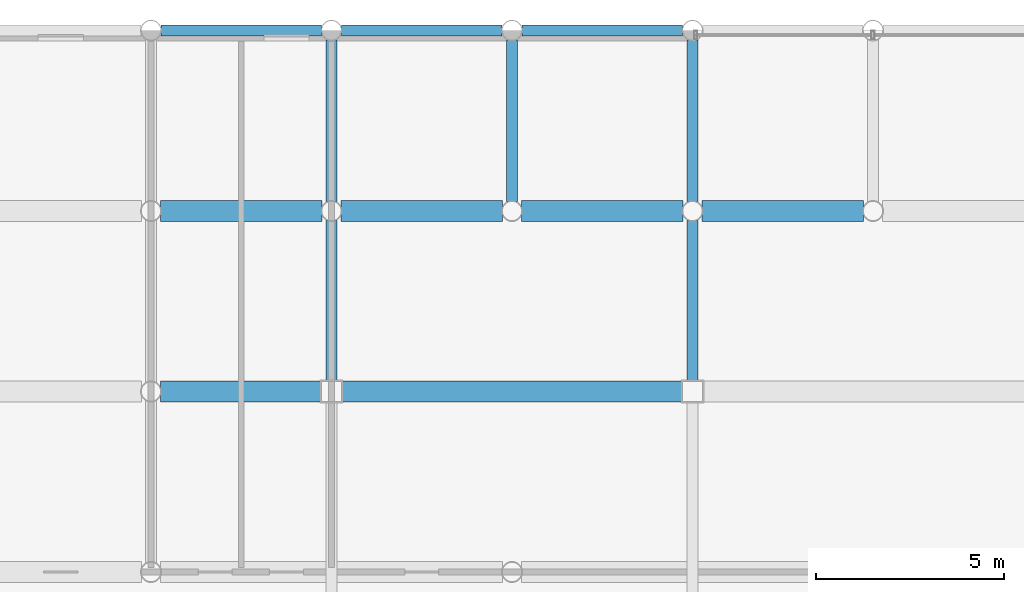
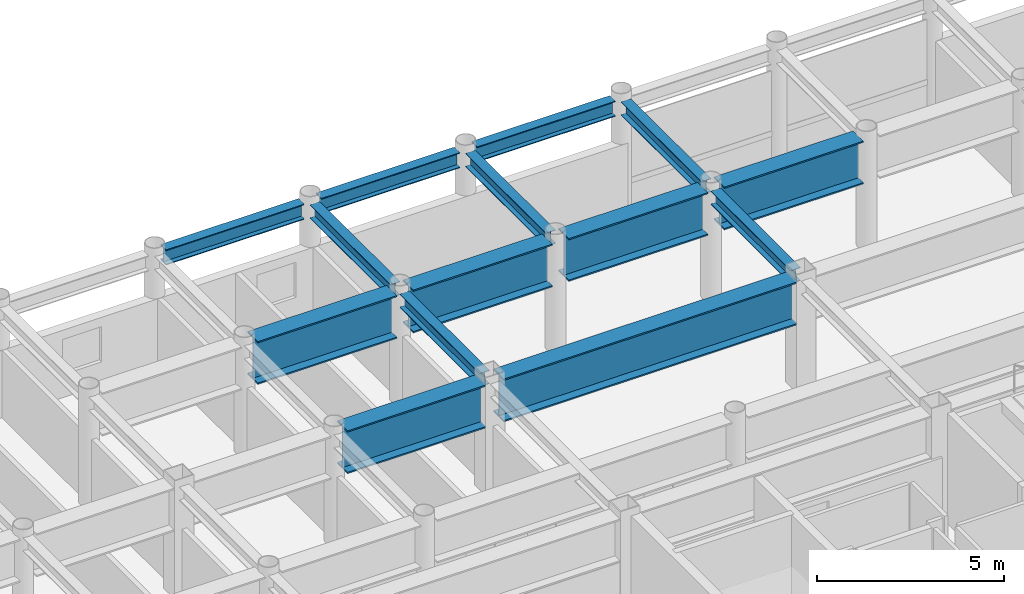
# One storey, part 13 of 21: 14 beams.
"""IFC4 building model written with IfcOpenShell, lengths in metres."""

from ifc_helpers import new_model, si_unit, direction, frame, origin, origin_2d, place, context, subcontext, project, spatial, i_section, extrude, material, material_profile, profile_set, type_object, element, save


model = new_model("IFC4")

# Units and contexts
model_context = context("Model", 3, precision=1e-05, world=origin(), true_north=direction((0.0, 1.0)))
body_context = subcontext(model_context, "Body", "Model", "MODEL_VIEW")
ifc_project = project(units=[si_unit("LENGTHUNIT", "METRE"), si_unit("AREAUNIT", "SQUARE_METRE"), si_unit("VOLUMEUNIT", "CUBIC_METRE"), si_unit("PLANEANGLEUNIT", "RADIAN"), si_unit("MASSUNIT", "GRAM", prefix="KILO")], contexts=[model_context])

# Site, building, storey
site_placement = place(None, origin())
site = spatial("IfcSite", under=ifc_project, at=site_placement, CompositionType="ELEMENT")
building_placement = place(site_placement, origin())
building = spatial("IfcBuilding", under=site, at=building_placement, Name="Kallvorn Hotel Tower", CompositionType="ELEMENT")
storey_placement = place(building_placement, frame((0.0, 0.0, 272.35009765625)))
storey = spatial("IfcBuildingStorey", under=building, at=storey_placement, Name="L68", CompositionType="ELEMENT", Elevation=272.35009765625)

# Beams
ifc_material_1 = material(Name="Structural steel S355JR", Category="steel")
ifc_material_profile_1 = material_profile(ifc_material_1, i_section(OverallWidth=0.300048828125, OverallDepth=0.43994140625, WebThickness=0.011474609375, FlangeThickness=0.02099609375, at=origin_2d()), Name="HE 450 A")
ifc_profile_set_1 = profile_set([ifc_material_profile_1], Name="Structural steel S355JR")
beam_type_1 = type_object("IfcBeamType", Name="BM_HE450A", PredefinedType="BEAM", material=ifc_profile_set_1)
beam_1_placement = place(storey_placement, frame((-14.39990234375, 14.675048828125, 3.3798828125), z_axis=(0.0, 1.0, 0.0), x_axis=(-1.0, 0.0, 0.0)))
element("IfcBeam", 1, at=beam_1_placement, inside=storey, type_object=beam_type_1, Name="L69 Primary Y-Girder 101", PredefinedType="BEAM", context=body_context, shape_type="SweptSolid", body=[
    extrude(i_section(OverallWidth=0.300048828125, OverallDepth=0.43994140625, WebThickness=0.011474609375, FlangeThickness=0.02099609375, at=origin_2d()), origin(), (0.0, 0.0, 1.0), 4.2705078125),
])
for number, where, z_axis, x_axis, name in (
    (2, (-14.39990234375, 19.45458984375, 3.3798828125), (0.0, 1.0, 0.0), (-1.0, 0.0, 0.0), "L69 Primary Y-Girder 102"),
    (3, (-9.60009765625, 19.45458984375, 3.3798828125), (0.0, 1.0, 0.0), (-1.0, 0.0, 0.0), "L69 Primary Y-Girder 105"),
):
    element("IfcBeam", number, at=place(storey_placement, frame(where, z_axis=z_axis, x_axis=x_axis)), inside=storey, type_object=beam_type_1, Name=name, PredefinedType="BEAM", context=body_context, shape_type="SweptSolid", body=[
        extrude(i_section(OverallWidth=0.300048828125, OverallDepth=0.43994140625, WebThickness=0.011474609375, FlangeThickness=0.02099609375, at=origin_2d()), origin(), (0.0, 0.0, 1.0), 4.291015625),
    ])
beam_2_placement = place(storey_placement, frame((-4.800048828125, 14.675048828125, 3.3798828125), z_axis=(0.0, 1.0, 0.0), x_axis=(-1.0, 0.0, 0.0)))
element("IfcBeam", 4, at=beam_2_placement, inside=storey, type_object=beam_type_1, Name="L69 Primary Y-Girder 109", PredefinedType="BEAM", context=body_context, shape_type="SweptSolid", body=[
    extrude(i_section(OverallWidth=0.300048828125, OverallDepth=0.43994140625, WebThickness=0.011474609375, FlangeThickness=0.02099609375, at=origin_2d()), origin(), (0.0, 0.0, 1.0), 4.2705078125),
])
beam_3_placement = place(storey_placement, frame((-4.800048828125, 19.45458984375, 3.3798828125), z_axis=(0.0, 1.0, 0.0), x_axis=(-1.0, 0.0, 0.0)))
element("IfcBeam", 5, at=beam_3_placement, inside=storey, type_object=beam_type_1, Name="L69 Primary Y-Girder 110", PredefinedType="BEAM", context=body_context, shape_type="SweptSolid", body=[
    extrude(i_section(OverallWidth=0.300048828125, OverallDepth=0.43994140625, WebThickness=0.011474609375, FlangeThickness=0.02099609375, at=origin_2d()), origin(), (0.0, 0.0, 1.0), 4.291015625),
])
ifc_material_2 = material(Name="Structural steel S355JR", Category="steel")
ifc_material_profile_2 = material_profile(ifc_material_2, i_section(OverallWidth=0.300048828125, OverallDepth=0.5, WebThickness=0.014404296875, FlangeThickness=0.028076171875, at=origin_2d()), Name="HE 500 B")
ifc_profile_set_2 = profile_set([ifc_material_profile_2], Name="Structural steel S355JR")
beam_type_2 = type_object("IfcBeamType", Name="BM_HE500B", PredefinedType="SPANDREL", material=ifc_profile_set_2)
beam_4_placement = place(storey_placement, frame((-18.930419921875, 24.0, 3.349853515625), z_axis=(1.0, 0.0, 0.0), x_axis=(0.0, 1.0, 0.0)))
element("IfcBeam", 6, at=beam_4_placement, inside=storey, type_object=beam_type_2, Name="L69 Perimeter Spandrel 165", PredefinedType="SPANDREL", context=body_context, shape_type="SweptSolid", body=[
    extrude(i_section(OverallWidth=0.300048828125, OverallDepth=0.5, WebThickness=0.014404296875, FlangeThickness=0.028076171875, at=origin_2d()), origin(), (0.0, 0.0, 1.0), 4.260986328125),
])
beam_5_placement = place(storey_placement, frame((-14.130615234375, 24.0, 3.349853515625), z_axis=(1.0, 0.0, 0.0), x_axis=(0.0, 1.0, 0.0)))
element("IfcBeam", 7, at=beam_5_placement, inside=storey, type_object=beam_type_2, Name="L69 Perimeter Spandrel 166", PredefinedType="SPANDREL", context=body_context, shape_type="SweptSolid", body=[
    extrude(i_section(OverallWidth=0.300048828125, OverallDepth=0.5, WebThickness=0.014404296875, FlangeThickness=0.028076171875, at=origin_2d()), origin(), (0.0, 0.0, 1.0), 4.26123046875),
])
beam_6_placement = place(storey_placement, frame((-9.33056640625, 24.0, 3.349853515625), z_axis=(1.0, 0.0, 0.0), x_axis=(0.0, 1.0, 0.0)))
element("IfcBeam", 8, at=beam_6_placement, inside=storey, type_object=beam_type_2, Name="L69 Perimeter Spandrel 167", PredefinedType="SPANDREL", context=body_context, shape_type="SweptSolid", body=[
    extrude(i_section(OverallWidth=0.300048828125, OverallDepth=0.5, WebThickness=0.014404296875, FlangeThickness=0.028076171875, at=origin_2d()), origin(), (0.0, 0.0, 1.0), 4.260986328125),
])
ifc_material_3 = material(Name="Structural steel S355JR", Category="steel")
ifc_material_profile_3 = material_profile(ifc_material_3, i_section(OverallWidth=0.550048828125, OverallDepth=1.39990234375, WebThickness=0.02490234375, FlangeThickness=0.044921875, at=origin_2d()), Name="PG 1400x550x25x45")
ifc_profile_set_3 = profile_set([ifc_material_profile_3], Name="Structural steel S355JR")
beam_type_3 = type_object("IfcBeamType", Name="BM_PG_1400", PredefinedType="BEAM", material=ifc_profile_set_3)
beam_7_placement = place(storey_placement, frame((-18.945556640625, 14.39990234375, 2.89990234375), z_axis=(1.0, 0.0, 0.0), x_axis=(0.0, 1.0, 0.0)))
element("IfcBeam", 9, at=beam_7_placement, inside=storey, type_object=beam_type_3, Name="L69 Primary X-Girder 53", PredefinedType="BEAM", context=body_context, shape_type="SweptSolid", body=[
    extrude(i_section(OverallWidth=0.550048828125, OverallDepth=1.39990234375, WebThickness=0.02490234375, FlangeThickness=0.044921875, at=origin_2d()), origin(), (0.0, 0.0, 1.0), 4.2705078125),
])
beam_8_placement = place(storey_placement, frame((-14.125, 14.39990234375, 2.89990234375), z_axis=(1.0, 0.0, 0.0), x_axis=(0.0, 1.0, 0.0)))
element("IfcBeam", 10, at=beam_8_placement, inside=storey, type_object=beam_type_3, Name="L69 Primary X-Girder 54", PredefinedType="BEAM", context=body_context, shape_type="SweptSolid", body=[
    extrude(i_section(OverallWidth=0.550048828125, OverallDepth=1.39990234375, WebThickness=0.02490234375, FlangeThickness=0.044921875, at=origin_2d()), origin(), (0.0, 0.0, 1.0), 9.050048828125),
])
for number, where, z_axis, x_axis, name in (
    (11, (-18.945556640625, 19.199951171875, 2.89990234375), (1.0, 0.0, 0.0), (0.0, 1.0, 0.0), "L69 Primary X-Girder 63"),
    (12, (-14.1455078125, 19.199951171875, 2.89990234375), (1.0, 0.0, 0.0), (0.0, 1.0, 0.0), "L69 Primary X-Girder 64"),
    (13, (-9.345458984375, 19.199951171875, 2.89990234375), (1.0, 0.0, 0.0), (0.0, 1.0, 0.0), "L69 Primary X-Girder 65"),
    (14, (-4.54541015625, 19.199951171875, 2.89990234375), (1.0, 0.0, 0.0), (0.0, 1.0, 0.0), "L69 Primary X-Girder 66"),
):
    element("IfcBeam", number, at=place(storey_placement, frame(where, z_axis=z_axis, x_axis=x_axis)), inside=storey, type_object=beam_type_3, Name=name, PredefinedType="BEAM", context=body_context, shape_type="SweptSolid", body=[
        extrude(i_section(OverallWidth=0.550048828125, OverallDepth=1.39990234375, WebThickness=0.02490234375, FlangeThickness=0.044921875, at=origin_2d()), origin(), (0.0, 0.0, 1.0), 4.291015625),
    ])

save(model, "model.ifc")
